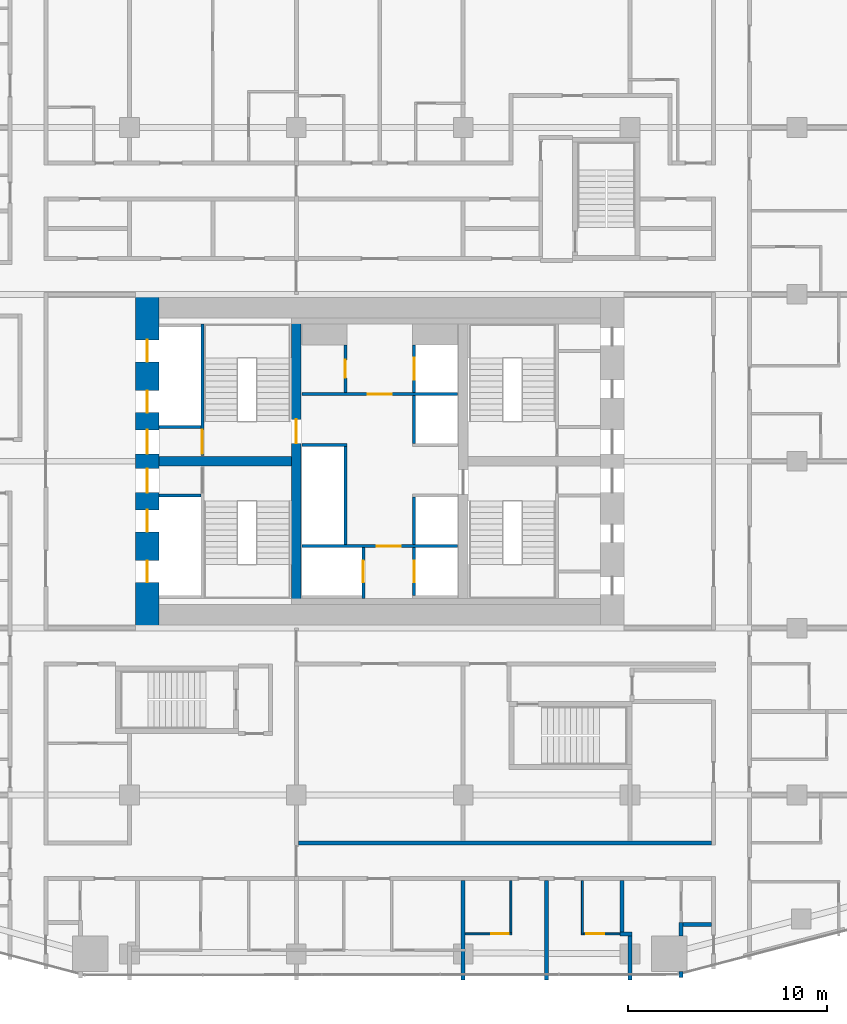
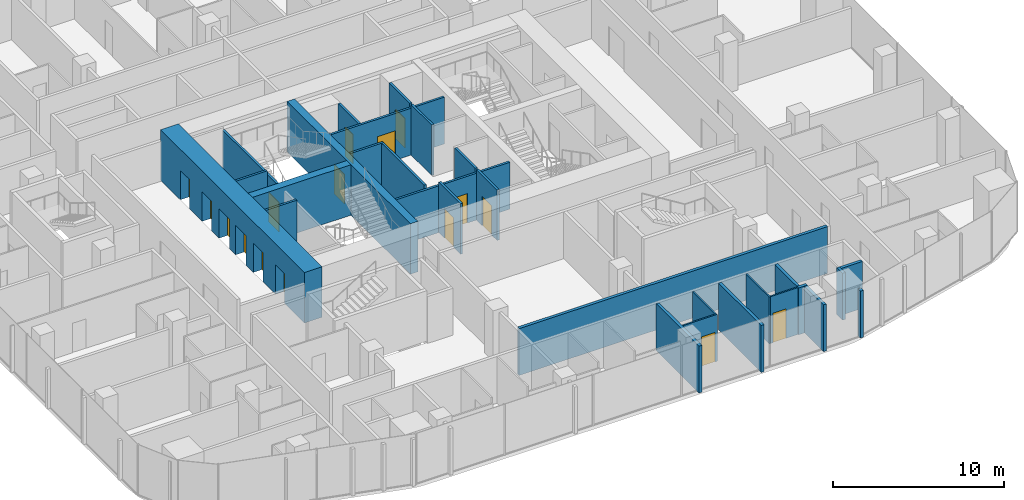
# One storey, part 18 of 26: 29 walls, 16 doors, 16 openings.
"""IFC4 building model written with IfcOpenShell, lengths in metres."""

import ifcopenshell
import ifcopenshell.guid

model = None  # the IFC model being written
_history = None  # IfcOwnerHistory: only IFC2X3 demands one
_inside = {}  # id of a spatial element -> (the spatial element, [elements in it])
_under = {}  # id of a project, library or spatial element -> (it, [spatial elements below it])
_declared = {}  # id of a project -> (the project, [libraries it declares])
_typed = {}  # id of a type object -> (the type object, [elements of that type])
_made_of = {}  # id of a material, layer set ... -> (it, [elements and type objects made of it])


def new_model(schema):
    """Start an empty IFC model of exactly this schema.

    Asked for "IFC4X3", IfcOpenShell would pick the latest addendum, in which some entities
    have other attributes; the version numbers below select the first issue.
    IFC2X3 requires an IfcOwnerHistory on every rooted entity: one is made here for all.
    """
    global model, _history
    if schema == "IFC4X3":
        model = ifcopenshell.file(schema_version=(4, 3, 0, 0))
    else:
        model = ifcopenshell.file(schema=schema)
    _inside.clear()
    _under.clear()
    _declared.clear()
    _typed.clear()
    _made_of.clear()
    _history = None
    if model.schema == "IFC2X3":
        org = make("IfcOrganization", Name="unknown")
        user = make(
            "IfcPersonAndOrganization",
            ThePerson=make("IfcPerson", FamilyName="unknown"),
            TheOrganization=org,
        )
        app = make(
            "IfcApplication",
            ApplicationDeveloper=org,
            Version="unknown",
            ApplicationFullName="unknown",
            ApplicationIdentifier="unknown",
        )
        _history = make(
            "IfcOwnerHistory",
            OwningUser=user,
            OwningApplication=app,
            ChangeAction="ADDED",
            CreationDate=0,
        )
    return model


def make(cls, **values):
    """One entity of the class cls with the attributes given. An attribute that is None is left unset."""
    return model.create_entity(
        cls, **{name: value for name, value in values.items() if value is not None}
    )


def rooted(cls, **values):
    """An entity with a GlobalId (a new one), such as an element, a storey or a relation."""
    return make(cls, GlobalId=ifcopenshell.guid.new(), OwnerHistory=_history, **values)


def si_unit(unit_type, name, prefix=None):
    """IfcSIUnit, for example si_unit("LENGTHUNIT", "METRE", prefix="MILLI")."""
    return make("IfcSIUnit", UnitType=unit_type, Prefix=prefix, Name=name)


def assignment(units):
    """IfcUnitAssignment: the units of a project."""
    return None if units is None else make("IfcUnitAssignment", Units=units)


def point(xyz):
    """IfcCartesianPoint."""
    return None if xyz is None else make("IfcCartesianPoint", Coordinates=xyz)


def direction(xyz):
    """IfcDirection."""
    return None if xyz is None else make("IfcDirection", DirectionRatios=xyz)


def frame(location, z_axis=None, x_axis=None):
    """IfcAxis2Placement3D, a coordinate frame: its origin and axes. An axis left out is left unset."""
    return make(
        "IfcAxis2Placement3D",
        Location=point(location),
        Axis=direction(z_axis),
        RefDirection=direction(x_axis),
    )


def frame_2d(location, x_axis=None):
    """IfcAxis2Placement2D, a coordinate frame in the plane: its origin and x axis."""
    return make(
        "IfcAxis2Placement2D", Location=point(location), RefDirection=direction(x_axis)
    )


def origin():
    """The frame at (0, 0, 0) with its axes left unset."""
    return frame((0.0, 0.0, 0.0))


def place(relative_to, where):
    """IfcLocalPlacement: puts the frame where relative to a parent placement (None: the world)."""
    return make(
        "IfcLocalPlacement", PlacementRelTo=relative_to, RelativePlacement=where
    )


def context(
    kind, dimensions, precision=None, world=None, true_north=None, identifier=None
):
    """IfcGeometricRepresentationContext, for example the 3D "Model" context."""
    return make(
        "IfcGeometricRepresentationContext",
        ContextIdentifier=identifier,
        ContextType=kind,
        CoordinateSpaceDimension=dimensions,
        Precision=precision,
        WorldCoordinateSystem=world,
        TrueNorth=true_north,
    )


def subcontext(parent, identifier, kind, view, scale=None):
    """IfcGeometricRepresentationSubContext, for example "Body" below "Model"."""
    return make(
        "IfcGeometricRepresentationSubContext",
        ContextIdentifier=identifier,
        ContextType=kind,
        ParentContext=parent,
        TargetScale=scale,
        TargetView=view,
    )


def project(units=None, contexts=None):
    """IfcProject with its units and contexts."""
    return rooted(
        "IfcProject",
        Name="project",
        RepresentationContexts=contexts,
        UnitsInContext=assignment(units),
    )


def spatial(cls, under=None, at=None, **own):
    """A site, building, storey or space (cls), placed at a placement, below another one or the project."""
    s = rooted(cls, ObjectPlacement=at, **own)
    if under is not None:
        _under.setdefault(under.id(), (under, []))[1].append(s)
    return s


def profile(cls, at=None, kind="AREA", **sizes):
    """A parametric profile (cls). Its sizes go by their IFC names, for example OverallWidth=200.0."""
    return make(cls, ProfileType=kind, Position=at, **sizes)


def rectangle(**sizes):
    """IfcRectangleProfileDef."""
    return profile("IfcRectangleProfileDef", **sizes)


def extrude(swept, where, along, depth):
    """IfcExtrudedAreaSolid: the profile swept, set in the frame where, extruded along a direction by depth."""
    return make(
        "IfcExtrudedAreaSolid",
        SweptArea=swept,
        Position=where,
        ExtrudedDirection=direction(along),
        Depth=depth,
    )


def shape(context_of_items, identifier, shape_type, items):
    """IfcShapeRepresentation: the items that make up one representation, for example the "Body"."""
    return make(
        "IfcShapeRepresentation",
        ContextOfItems=context_of_items,
        RepresentationIdentifier=identifier,
        RepresentationType=shape_type,
        Items=items,
    )


def material(Name=None, Category=None):
    """IfcMaterial."""
    return make("IfcMaterial", Name=Name, Category=Category)


def layer(
    of_material, thickness, ventilated=None, Name=None, Category=None, Priority=None
):
    """IfcMaterialLayer: one layer of a wall or slab, of a material (None: an air gap)."""
    return make(
        "IfcMaterialLayer",
        Material=of_material,
        LayerThickness=thickness,
        IsVentilated=ventilated,
        Name=Name,
        Category=Category,
        Priority=Priority,
    )


def layer_set(layers, Name=None):
    """IfcMaterialLayerSet."""
    return make("IfcMaterialLayerSet", MaterialLayers=layers, LayerSetName=Name)


def made_of(thing, what):
    """Note that an element or type object is made of a material, layer set ...; save() writes the relation."""
    if what is not None:
        _made_of.setdefault(what.id(), (what, []))[1].append(thing)
    return thing


def type_object(cls, material=None, **own):
    """A type object (cls), such as IfcWallType, which elements share."""
    return made_of(rooted(cls, **own), material)


def element(
    cls,
    number,
    at=None,
    inside=None,
    cuts=None,
    type_object=None,
    material=None,
    context=None,
    identifier="Body",
    shape_type=None,
    held_by="IfcProductDefinitionShape",
    body=None,
    shapes=None,
    **own,
):
    """One element of the class cls, such as IfcWall. Its Tag is "e" and its number.

    at: its placement. inside: the storey or other place that contains it. cuts: it is an
    opening in that element (IfcRelVoidsElement). A single representation is given by context,
    identifier, shape_type and body (its items); several are given by shapes. held_by: the class
    of the entity that holds the representations. save() writes the other relations.
    """
    e = rooted(cls, Tag="e%d" % number, ObjectPlacement=at, **own)
    if body is not None:
        shapes = [shape(context, identifier, shape_type, body)]
    if shapes is not None:
        e.Representation = make(held_by, Representations=shapes)
    if inside is not None:
        _inside.setdefault(inside.id(), (inside, []))[1].append(e)
    if cuts is not None:
        rooted(
            "IfcRelVoidsElement", RelatingBuildingElement=cuts, RelatedOpeningElement=e
        )
    if type_object is not None:
        _typed.setdefault(type_object.id(), (type_object, []))[1].append(e)
    return made_of(e, material)


def fill(opening, filler):
    """IfcRelFillsElement: the door or window that sits in an opening."""
    return rooted(
        "IfcRelFillsElement",
        RelatingOpeningElement=opening,
        RelatedBuildingElement=filler,
    )


def aggregate(whole, parts):
    """IfcRelAggregates: a whole, such as a stair, and the parts it consists of."""
    return rooted("IfcRelAggregates", RelatingObject=whole, RelatedObjects=parts)


def save(model, path):
    """Write the relations noted so far, then the file.

    IfcRelAggregates (storeys below a building ...), IfcRelContainedInSpatialStructure (elements
    in a storey), IfcRelDefinesByType, IfcRelAssociatesMaterial and IfcRelDeclares: one each for
    every whole, place, type object, material and project.
    """
    for whole, parts in _under.values():
        aggregate(whole, parts)
    for where, things in _inside.values():
        rooted(
            "IfcRelContainedInSpatialStructure",
            RelatedElements=things,
            RelatingStructure=where,
        )
    for kind, things in _typed.values():
        rooted("IfcRelDefinesByType", RelatedObjects=things, RelatingType=kind)
    for what, things in _made_of.values():
        rooted("IfcRelAssociatesMaterial", RelatedObjects=things, RelatingMaterial=what)
    for by, libraries in _declared.values():
        rooted("IfcRelDeclares", RelatingContext=by, RelatedDefinitions=libraries)
    model.write(path)


model = new_model("IFC4")

# Units and contexts
model_context = context("Model", 3, precision=1e-05, world=origin(), true_north=direction((0.0, 1.0)))
body_context = subcontext(model_context, "Body", "Model", "MODEL_VIEW")
ifc_project = project(units=[si_unit("LENGTHUNIT", "METRE"), si_unit("AREAUNIT", "SQUARE_METRE"), si_unit("VOLUMEUNIT", "CUBIC_METRE"), si_unit("PLANEANGLEUNIT", "RADIAN"), si_unit("MASSUNIT", "GRAM", prefix="KILO")], contexts=[model_context])

# Site, building, storey
site_placement = place(None, origin())
site = spatial("IfcSite", under=ifc_project, at=site_placement, CompositionType="ELEMENT")
building_placement = place(site_placement, origin())
building = spatial("IfcBuilding", under=site, at=building_placement, Name="Marenta Gate Hotel Tower", CompositionType="ELEMENT")
storey_placement = place(building_placement, frame((0.0, 0.0, 72.5)))
storey = spatial("IfcBuildingStorey", under=building, at=storey_placement, Name="L16", CompositionType="ELEMENT", Elevation=72.5)

# Wall, opening, door
ifc_material_1 = material(Name="Concrete blockwork", Category="masonry")
ifc_layer_1 = layer(ifc_material_1, 0.14990234375)
ifc_layer_set_1 = layer_set([ifc_layer_1], Name="Concrete blockwork")
wall_type_1 = type_object("IfcWallType", Name="Core lobby partition 150 REI 180", PredefinedType="PARTITIONING", material=ifc_layer_set_1)
wall_1_placement = place(storey_placement, frame((-3.89990234375, 4.125, 0.0), z_axis=(0.0, 0.0, 1.0), x_axis=(1.0, 0.0, 0.0)))
wall_1 = element("IfcWall", 1, at=wall_1_placement, inside=storey, type_object=wall_type_1, Name="L16-CP-CW-S", PredefinedType="PARTITIONING", context=body_context, shape_type="SweptSolid", body=[
    extrude(rectangle(XDim=7.7998046875, YDim=0.14990234375, at=frame_2d((3.89990234375, 0.0))), origin(), (0.0, 0.0, 1.0), 3.340087890625),
])
opening_1_placement = place(wall_1_placement, frame((3.75, 0.0, 0.0)))
opening_1 = element("IfcOpeningElement", 2, at=opening_1_placement, cuts=wall_1, Name="Opening FD-FFS", PredefinedType="OPENING", context=body_context, shape_type="SweptSolid", body=[
    extrude(rectangle(XDim=1.199951171875, YDim=2.10009765625, at=frame_2d((0.60009765625, 1.050048828125))), frame((0.0, 0.074951171875, 0.0), z_axis=(0.0, -1.0, 0.0), x_axis=(1.0, 0.0, 0.0)), (0.0, 0.0, 1.0), 0.14990234375),
])
ifc_material_2 = material(Name="Steel", Category="steel")
door_type_1 = type_object("IfcDoorType", Name="Core lobby door 1200x2100 FD60", OperationType="SINGLE_SWING_LEFT", PredefinedType="DOOR", material=ifc_material_2)
door_1_placement = place(opening_1_placement, origin())
door_1 = element("IfcDoor", 3, at=door_1_placement, inside=storey, type_object=door_type_1, Name="FD-FFS", OperationType="SINGLE_SWING_LEFT", OverallHeight=2.10009765625, OverallWidth=1.199951171875, PredefinedType="DOOR", context=body_context, shape_type="SweptSolid", body=[
    extrude(rectangle(XDim=1.199951171875, YDim=2.10009765625, at=frame_2d((0.60009765625, 1.050048828125))), frame((0.0, 0.02490234375, 0.0), z_axis=(0.0, -1.0, 0.0), x_axis=(1.0, 0.0, 0.0)), (0.0, 0.0, 1.0), 0.050048828125),
])
fill(opening_1, door_1)

wall_2_placement = place(storey_placement, frame((-3.89990234375, 11.77490234375, 0.0), z_axis=(0.0, 0.0, 1.0), x_axis=(1.0, 0.0, 0.0)))
wall_2 = element("IfcWall", 4, at=wall_2_placement, inside=storey, type_object=wall_type_1, Name="L16-CP-CW-N", PredefinedType="PARTITIONING", context=body_context, shape_type="SweptSolid", body=[
    extrude(rectangle(XDim=7.7998046875, YDim=0.14990234375, at=frame_2d((3.89990234375, 0.0))), origin(), (0.0, 0.0, 1.0), 3.340087890625),
])
opening_2_placement = place(wall_2_placement, frame((3.300048828125, 0.0, 0.0)))
opening_2 = element("IfcOpeningElement", 5, at=opening_2_placement, cuts=wall_2, Name="Opening FD-FFN", PredefinedType="OPENING", context=body_context, shape_type="SweptSolid", body=[
    extrude(rectangle(XDim=1.199951171875, YDim=2.10009765625, at=frame_2d((0.60009765625, 1.050048828125))), frame((0.0, 0.074951171875, 0.0), z_axis=(0.0, -1.0, 0.0), x_axis=(1.0, 0.0, 0.0)), (0.0, 0.0, 1.0), 0.14990234375),
])
door_2_placement = place(opening_2_placement, origin())
door_2 = element("IfcDoor", 6, at=door_2_placement, inside=storey, type_object=door_type_1, Name="FD-FFN", OperationType="SINGLE_SWING_LEFT", OverallHeight=2.10009765625, OverallWidth=1.199951171875, PredefinedType="DOOR", context=body_context, shape_type="SweptSolid", body=[
    extrude(rectangle(XDim=1.199951171875, YDim=2.10009765625, at=frame_2d((0.60009765625, 1.050048828125))), frame((0.0, 0.02490234375, 0.0), z_axis=(0.0, -1.0, 0.0), x_axis=(1.0, 0.0, 0.0)), (0.0, 0.0, 1.0), 0.050048828125),
])
fill(opening_2, door_2)

ifc_material_3 = material(Name="Concrete blockwork", Category="masonry")
ifc_layer_2 = layer(ifc_material_3, 0.14990234375)
ifc_layer_set_2 = layer_set([ifc_layer_2], Name="Concrete blockwork")
wall_type_2 = type_object("IfcWallType", Name="Core room partition 150 REI 180", PredefinedType="PARTITIONING", material=ifc_layer_set_2)
wall_3_placement = place(storey_placement, frame((-1.72509765625, 11.85009765625, 0.0), z_axis=(0.0, 0.0, 1.0), x_axis=(0.0, 1.0, 0.0)))
wall_3 = element("IfcWall", 7, at=wall_3_placement, inside=storey, type_object=wall_type_2, Name="L16-CP-CW-W-riser-front", PredefinedType="PARTITIONING", context=body_context, shape_type="SweptSolid", body=[
    extrude(rectangle(XDim=2.39990234375, YDim=0.14990234375, at=frame_2d((1.199951171875, 0.0))), origin(), (0.0, 0.0, 1.0), 3.340087890625),
])
opening_3_placement = place(wall_3_placement, frame((0.75, 0.0, 0.0)))
opening_3 = element("IfcOpeningElement", 8, at=opening_3_placement, cuts=wall_3, Name="Opening RD-CRISER", PredefinedType="OPENING", context=body_context, shape_type="SweptSolid", body=[
    extrude(rectangle(XDim=0.89990234375, YDim=2.10009765625, at=frame_2d((0.449951171875, 1.050048828125))), frame((0.0, 0.074951171875, 0.0), z_axis=(0.0, -1.0, 0.0), x_axis=(1.0, 0.0, 0.0)), (0.0, 0.0, 1.0), 0.14990234375),
])
ifc_material_4 = material(Name="Steel", Category="steel")
door_type_2 = type_object("IfcDoorType", Name="Core riser door 900x2100 FD60", OperationType="SINGLE_SWING_LEFT", PredefinedType="DOOR", material=ifc_material_4)
door_3_placement = place(opening_3_placement, origin())
door_3 = element("IfcDoor", 9, at=door_3_placement, inside=storey, type_object=door_type_2, Name="RD-CRISER", OperationType="SINGLE_SWING_LEFT", OverallHeight=2.10009765625, OverallWidth=0.89990234375, PredefinedType="DOOR", context=body_context, shape_type="SweptSolid", body=[
    extrude(rectangle(XDim=0.89990234375, YDim=2.10009765625, at=frame_2d((0.449951171875, 1.050048828125))), frame((0.0, 0.02490234375, 0.0), z_axis=(0.0, -1.0, 0.0), x_axis=(1.0, 0.0, 0.0)), (0.0, 0.0, 1.0), 0.050048828125),
])
fill(opening_3, door_3)

# Walls
ifc_material_5 = material(Name="Concrete C40", Category="concrete")
ifc_layer_3 = layer(ifc_material_5, 0.14990234375)
ifc_layer_set_3 = layer_set([ifc_layer_3], Name="Concrete C40")
wall_type_3 = type_object("IfcWallType", Name="Core shaft wall 150 REI 180", PredefinedType="SHEAR", material=ifc_layer_set_3)
for number, where, z_axis, x_axis, name in (
    (10, (-11.10009765625, 6.675048828125, 0.0), (0.0, 0.0, 1.0), (1.0, 0.0, 0.0), "L16-SHF-SW-WS-2"),
    (11, (-11.10009765625, 10.125, 0.0), (0.0, 0.0, 1.0), (1.0, 0.0, 0.0), "L16-SHF-SW-WN-2"),
):
    element("IfcWall", number, at=place(storey_placement, frame(where, z_axis=z_axis, x_axis=x_axis)), inside=storey, type_object=wall_type_3, Name=name, PredefinedType="SHEAR", context=body_context, shape_type="SweptSolid", body=[
        extrude(rectangle(XDim=2.10009765625, YDim=0.14990234375, at=frame_2d((1.050048828125, 0.0))), origin(), (0.0, 0.0, 1.0), 3.60009765625),
    ])

# Wall, opening, door
wall_4_placement = place(storey_placement, frame((-0.824951171875, 1.5, 0.0), z_axis=(0.0, 0.0, 1.0), x_axis=(0.0, 1.0, 0.0)))
wall_4 = element("IfcWall", 12, at=wall_4_placement, inside=storey, type_object=wall_type_3, Name="L16-SHF-CW-W-ff", PredefinedType="SHEAR", context=body_context, shape_type="SweptSolid", body=[
    extrude(rectangle(XDim=2.550048828125, YDim=0.14990234375, at=frame_2d((1.27490234375, 0.0))), origin(), (0.0, 0.0, 1.0), 3.60009765625),
])
opening_4_placement = place(wall_4_placement, frame((0.800048828125, 0.0, 0.0)))
opening_4 = element("IfcOpeningElement", 13, at=opening_4_placement, cuts=wall_4, Name="Opening LD-FF1", PredefinedType="OPENING", context=body_context, shape_type="SweptSolid", body=[
    extrude(rectangle(XDim=1.10009765625, YDim=2.10009765625, at=frame_2d((0.550048828125, 1.050048828125))), frame((0.0, 0.074951171875, 0.0), z_axis=(0.0, -1.0, 0.0), x_axis=(1.0, 0.0, 0.0)), (0.0, 0.0, 1.0), 0.14990234375),
])
ifc_material_6 = material(Name="Steel", Category="steel")
door_type_3 = type_object("IfcDoorType", Name="Core lift landing door 1100x2100 E 60", OperationType="SLIDING_TO_LEFT", PredefinedType="DOOR", material=ifc_material_6)
door_4_placement = place(opening_4_placement, origin())
door_4 = element("IfcDoor", 14, at=door_4_placement, inside=storey, type_object=door_type_3, Name="LD-FF1", OperationType="SLIDING_TO_LEFT", OverallHeight=2.10009765625, OverallWidth=1.10009765625, PredefinedType="DOOR", context=body_context, shape_type="SweptSolid", body=[
    extrude(rectangle(XDim=1.10009765625, YDim=2.10009765625, at=frame_2d((0.550048828125, 1.050048828125))), frame((0.0, 0.02490234375, 0.0), z_axis=(0.0, -1.0, 0.0), x_axis=(1.0, 0.0, 0.0)), (0.0, 0.0, 1.0), 0.050048828125),
])
fill(opening_4, door_4)

# Walls
wall_5_placement = place(storey_placement, frame((-1.72509765625, 4.199951171875, 0.0), z_axis=(0.0, 0.0, 1.0), x_axis=(0.0, 1.0, 0.0)))
element("IfcWall", 15, at=wall_5_placement, inside=storey, type_object=wall_type_3, Name="L16-SHF-CW-W-front", PredefinedType="SHEAR", context=body_context, shape_type="SweptSolid", body=[
    extrude(rectangle(XDim=4.949951171875, YDim=0.14990234375, at=frame_2d((2.47509765625, 0.0))), origin(), (0.0, 0.0, 1.0), 3.60009765625),
])
wall_6_placement = place(storey_placement, frame((-3.89990234375, 9.22509765625, 0.0), z_axis=(0.0, 0.0, 1.0), x_axis=(1.0, 0.0, 0.0)))
element("IfcWall", 16, at=wall_6_placement, inside=storey, type_object=wall_type_3, Name="L16-SHF-CW-W-sep", PredefinedType="SHEAR", context=body_context, shape_type="SweptSolid", body=[
    extrude(rectangle(XDim=2.25, YDim=0.14990234375, at=frame_2d((1.125, 0.0))), origin(), (0.0, 0.0, 1.0), 3.60009765625),
])

# Wall, opening, door
wall_7_placement = place(storey_placement, frame((1.72509765625, 1.64990234375, 0.0), z_axis=(0.0, 0.0, 1.0), x_axis=(0.0, 1.0, 0.0)))
wall_7 = element("IfcWall", 17, at=wall_7_placement, inside=storey, type_object=wall_type_3, Name="L16-SHF-CE-S-ls", PredefinedType="SHEAR", context=body_context, shape_type="SweptSolid", body=[
    extrude(rectangle(XDim=2.400146484375, YDim=0.14990234375, at=frame_2d((1.2001953125, 0.0))), origin(), (0.0, 0.0, 1.0), 3.60009765625),
])
opening_5_placement = place(wall_7_placement, frame((0.64990234375, 0.0, 0.0)))
opening_5 = element("IfcOpeningElement", 18, at=opening_5_placement, cuts=wall_7, Name="Opening LD-SV1", PredefinedType="OPENING", context=body_context, shape_type="SweptSolid", body=[
    extrude(rectangle(XDim=1.10009765625, YDim=2.10009765625, at=frame_2d((0.550048828125, 1.050048828125))), frame((0.0, 0.074951171875, 0.0), z_axis=(0.0, -1.0, 0.0), x_axis=(1.0, 0.0, 0.0)), (0.0, 0.0, 1.0), 0.14990234375),
])
door_5_placement = place(opening_5_placement, origin())
door_5 = element("IfcDoor", 19, at=door_5_placement, inside=storey, type_object=door_type_3, Name="LD-SV1", OperationType="SLIDING_TO_LEFT", OverallHeight=2.10009765625, OverallWidth=1.10009765625, PredefinedType="DOOR", context=body_context, shape_type="SweptSolid", body=[
    extrude(rectangle(XDim=1.10009765625, YDim=2.10009765625, at=frame_2d((0.550048828125, 1.050048828125))), frame((0.0, 0.02490234375, 0.0), z_axis=(0.0, -1.0, 0.0), x_axis=(1.0, 0.0, 0.0)), (0.0, 0.0, 1.0), 0.050048828125),
])
fill(opening_5, door_5)

wall_8_placement = place(storey_placement, frame((1.72509765625, 11.85009765625, 0.0), z_axis=(0.0, 0.0, 1.0), x_axis=(0.0, 1.0, 0.0)))
wall_8 = element("IfcWall", 20, at=wall_8_placement, inside=storey, type_object=wall_type_3, Name="L16-SHF-CE-N-front2", PredefinedType="SHEAR", context=body_context, shape_type="SweptSolid", body=[
    extrude(rectangle(XDim=2.39990234375, YDim=0.14990234375, at=frame_2d((1.199951171875, 0.0))), origin(), (0.0, 0.0, 1.0), 3.60009765625),
])
opening_6_placement = place(wall_8_placement, frame((0.64990234375, 0.0, 0.0)))
opening_6 = element("IfcOpeningElement", 21, at=opening_6_placement, cuts=wall_8, Name="Opening LD-FF2", PredefinedType="OPENING", context=body_context, shape_type="SweptSolid", body=[
    extrude(rectangle(XDim=1.10009765625, YDim=2.10009765625, at=frame_2d((0.550048828125, 1.050048828125))), frame((0.0, 0.074951171875, 0.0), z_axis=(0.0, -1.0, 0.0), x_axis=(1.0, 0.0, 0.0)), (0.0, 0.0, 1.0), 0.14990234375),
])
door_6_placement = place(opening_6_placement, origin())
door_6 = element("IfcDoor", 22, at=door_6_placement, inside=storey, type_object=door_type_3, Name="LD-FF2", OperationType="SLIDING_TO_LEFT", OverallHeight=2.10009765625, OverallWidth=1.10009765625, PredefinedType="DOOR", context=body_context, shape_type="SweptSolid", body=[
    extrude(rectangle(XDim=1.10009765625, YDim=2.10009765625, at=frame_2d((0.550048828125, 1.050048828125))), frame((0.0, 0.02490234375, 0.0), z_axis=(0.0, -1.0, 0.0), x_axis=(1.0, 0.0, 0.0)), (0.0, 0.0, 1.0), 0.050048828125),
])
fill(opening_6, door_6)

# Walls
wall_9_placement = place(storey_placement, frame((1.72509765625, 4.199951171875, 0.0), z_axis=(0.0, 0.0, 1.0), x_axis=(0.0, 1.0, 0.0)))
element("IfcWall", 23, at=wall_9_placement, inside=storey, type_object=wall_type_3, Name="L16-SHF-CE-front-1", PredefinedType="SHEAR", context=body_context, shape_type="SweptSolid", body=[
    extrude(rectangle(XDim=2.400146484375, YDim=0.14990234375, at=frame_2d((1.2001953125, 0.0))), origin(), (0.0, 0.0, 1.0), 3.60009765625),
])
wall_10_placement = place(storey_placement, frame((1.72509765625, 9.300048828125, 0.0), z_axis=(0.0, 0.0, 1.0), x_axis=(0.0, 1.0, 0.0)))
element("IfcWall", 24, at=wall_10_placement, inside=storey, type_object=wall_type_3, Name="L16-SHF-CE-front-2", PredefinedType="SHEAR", context=body_context, shape_type="SweptSolid", body=[
    extrude(rectangle(XDim=2.39990234375, YDim=0.14990234375, at=frame_2d((1.199951171875, 0.0))), origin(), (0.0, 0.0, 1.0), 3.60009765625),
])

# Wall, opening, door
ifc_material_7 = material(Name="Concrete C40", Category="concrete")
ifc_layer_4 = layer(ifc_material_7, 0.14990234375)
ifc_layer_set_4 = layer_set([ifc_layer_4], Name="Concrete C40")
wall_type_4 = type_object("IfcWallType", Name="Core stair enclosure wall 150 REI 180", PredefinedType="SHEAR", material=ifc_layer_set_4)
wall_11_placement = place(storey_placement, frame((-8.925048828125, 8.699951171875, 0.0), z_axis=(0.0, 0.0, 1.0), x_axis=(0.0, 1.0, 0.0)))
wall_11 = element("IfcWall", 25, at=wall_11_placement, inside=storey, type_object=wall_type_4, Name="L16-SHF-SW-WN-3", PredefinedType="SHEAR", context=body_context, shape_type="SweptSolid", body=[
    extrude(rectangle(XDim=6.60009765625, YDim=0.14990234375, at=frame_2d((3.300048828125, 0.0))), origin(), (0.0, 0.0, 1.0), 3.340087890625),
])
opening_7_placement = place(wall_11_placement, frame((0.074951171875, 0.0, 0.0)))
opening_7 = element("IfcOpeningElement", 26, at=opening_7_placement, cuts=wall_11, Name="Opening SD-WN", PredefinedType="OPENING", context=body_context, shape_type="SweptSolid", body=[
    extrude(rectangle(XDim=1.199951171875, YDim=2.10009765625, at=frame_2d((0.60009765625, 1.050048828125))), frame((0.0, 0.074951171875, 0.0), z_axis=(0.0, -1.0, 0.0), x_axis=(1.0, 0.0, 0.0)), (0.0, 0.0, 1.0), 0.14990234375),
])
ifc_material_8 = material(Name="Steel", Category="steel")
door_type_4 = type_object("IfcDoorType", Name="Core stair door 1200x2100 FD60", OperationType="SINGLE_SWING_LEFT", PredefinedType="DOOR", material=ifc_material_8)
door_7_placement = place(opening_7_placement, origin())
door_7 = element("IfcDoor", 27, at=door_7_placement, inside=storey, type_object=door_type_4, Name="SD-WN", OperationType="SINGLE_SWING_LEFT", OverallHeight=2.10009765625, OverallWidth=1.199951171875, PredefinedType="DOOR", context=body_context, shape_type="SweptSolid", body=[
    extrude(rectangle(XDim=1.199951171875, YDim=2.10009765625, at=frame_2d((0.60009765625, 1.050048828125))), frame((0.0, 0.02490234375, 0.0), z_axis=(0.0, -1.0, 0.0), x_axis=(1.0, 0.0, 0.0)), (0.0, 0.0, 1.0), 0.050048828125),
])
fill(opening_7, door_7)

# Wall, openings, doors
ifc_material_9 = material(Name="Concrete C80", Category="concrete")
ifc_layer_5 = layer(ifc_material_9, 1.199951171875)
ifc_layer_set_5 = layer_set([ifc_layer_5], Name="Concrete C80")
wall_type_5 = type_object("IfcWallType", Name="Core wall 1200 C80", PredefinedType="SHEAR", material=ifc_layer_set_5)
wall_12_placement = place(storey_placement, frame((-11.699951171875, 0.0, 0.0), z_axis=(0.0, 0.0, 1.0), x_axis=(0.0, 1.0, 0.0)))
wall_12 = element("IfcWall", 28, at=wall_12_placement, inside=storey, type_object=wall_type_5, Name="L16-CORE-W", PredefinedType="SHEAR", context=body_context, shape_type="SweptSolid", body=[
    extrude(rectangle(XDim=16.800048828125, YDim=1.199951171875, at=frame_2d((8.39990234375, 0.0))), origin(), (0.0, 0.0, 1.0), 3.60009765625),
])
opening_8_placement = place(wall_12_placement, frame((2.300048828125, 0.0, 0.0)))
opening_8 = element("IfcOpeningElement", 29, at=opening_8_placement, cuts=wall_12, Name="Opening LD-LR1", PredefinedType="OPENING", context=body_context, shape_type="SweptSolid", body=[
    extrude(rectangle(XDim=1.10009765625, YDim=2.10009765625, at=frame_2d((0.550048828125, 1.050048828125))), frame((0.0, 0.60009765625, 0.0), z_axis=(0.0, -1.0, 0.0), x_axis=(1.0, 0.0, 0.0)), (0.0, 0.0, 1.0), 1.199951171875),
])
opening_9_placement = place(wall_12_placement, frame((4.85009765625, 0.0, 0.0)))
opening_9 = element("IfcOpeningElement", 30, at=opening_9_placement, cuts=wall_12, Name="Opening LD-LR2", PredefinedType="OPENING", context=body_context, shape_type="SweptSolid", body=[
    extrude(rectangle(XDim=1.10009765625, YDim=2.10009765625, at=frame_2d((0.550048828125, 1.050048828125))), frame((0.0, 0.60009765625, 0.0), z_axis=(0.0, -1.0, 0.0), x_axis=(1.0, 0.0, 0.0)), (0.0, 0.0, 1.0), 1.199951171875),
])
opening_10_placement = place(wall_12_placement, frame((6.824951171875, 0.0, 0.0)))
opening_10 = element("IfcOpeningElement", 31, at=opening_10_placement, cuts=wall_12, Name="Opening PD-WS", PredefinedType="OPENING", context=body_context, shape_type="SweptSolid", body=[
    extrude(rectangle(XDim=1.199951171875, YDim=2.10009765625, at=frame_2d((0.60009765625, 1.050048828125))), frame((0.0, 0.60009765625, 0.0), z_axis=(0.0, -1.0, 0.0), x_axis=(1.0, 0.0, 0.0)), (0.0, 0.0, 1.0), 1.199951171875),
])
opening_11_placement = place(wall_12_placement, frame((13.39990234375, 0.0, 0.0)))
opening_11 = element("IfcOpeningElement", 32, at=opening_11_placement, cuts=wall_12, Name="Opening LD-LR4", PredefinedType="OPENING", context=body_context, shape_type="SweptSolid", body=[
    extrude(rectangle(XDim=1.10009765625, YDim=2.10009765625, at=frame_2d((0.550048828125, 1.050048828125))), frame((0.0, 0.60009765625, 0.0), z_axis=(0.0, -1.0, 0.0), x_axis=(1.0, 0.0, 0.0)), (0.0, 0.0, 1.0), 1.199951171875),
])
opening_12_placement = place(wall_12_placement, frame((10.85009765625, 0.0, 0.0)))
opening_12 = element("IfcOpeningElement", 33, at=opening_12_placement, cuts=wall_12, Name="Opening LD-LR3", PredefinedType="OPENING", context=body_context, shape_type="SweptSolid", body=[
    extrude(rectangle(XDim=1.10009765625, YDim=2.10009765625, at=frame_2d((0.550048828125, 1.050048828125))), frame((0.0, 0.60009765625, 0.0), z_axis=(0.0, -1.0, 0.0), x_axis=(1.0, 0.0, 0.0)), (0.0, 0.0, 1.0), 1.199951171875),
])
opening_13_placement = place(wall_12_placement, frame((8.77490234375, 0.0, 0.0)))
opening_13 = element("IfcOpeningElement", 34, at=opening_13_placement, cuts=wall_12, Name="Opening PD-WN", PredefinedType="OPENING", context=body_context, shape_type="SweptSolid", body=[
    extrude(rectangle(XDim=1.199951171875, YDim=2.10009765625, at=frame_2d((0.60009765625, 1.050048828125))), frame((0.0, 0.60009765625, 0.0), z_axis=(0.0, -1.0, 0.0), x_axis=(1.0, 0.0, 0.0)), (0.0, 0.0, 1.0), 1.199951171875),
])
door_8_placement = place(opening_8_placement, origin())
door_8 = element("IfcDoor", 35, at=door_8_placement, inside=storey, type_object=door_type_3, Name="LD-LR1", OperationType="SLIDING_TO_LEFT", OverallHeight=2.10009765625, OverallWidth=1.10009765625, PredefinedType="DOOR", context=body_context, shape_type="SweptSolid", body=[
    extrude(rectangle(XDim=1.10009765625, YDim=2.10009765625, at=frame_2d((0.550048828125, 1.050048828125))), frame((0.0, 0.02490234375, 0.0), z_axis=(0.0, -1.0, 0.0), x_axis=(1.0, 0.0, 0.0)), (0.0, 0.0, 1.0), 0.050048828125),
])
fill(opening_8, door_8)
door_9_placement = place(opening_9_placement, origin())
door_9 = element("IfcDoor", 36, at=door_9_placement, inside=storey, type_object=door_type_3, Name="LD-LR2", OperationType="SLIDING_TO_LEFT", OverallHeight=2.10009765625, OverallWidth=1.10009765625, PredefinedType="DOOR", context=body_context, shape_type="SweptSolid", body=[
    extrude(rectangle(XDim=1.10009765625, YDim=2.10009765625, at=frame_2d((0.550048828125, 1.050048828125))), frame((0.0, 0.02490234375, 0.0), z_axis=(0.0, -1.0, 0.0), x_axis=(1.0, 0.0, 0.0)), (0.0, 0.0, 1.0), 0.050048828125),
])
fill(opening_9, door_9)
door_10_placement = place(opening_11_placement, origin())
door_10 = element("IfcDoor", 37, at=door_10_placement, inside=storey, type_object=door_type_3, Name="LD-LR4", OperationType="SLIDING_TO_LEFT", OverallHeight=2.10009765625, OverallWidth=1.10009765625, PredefinedType="DOOR", context=body_context, shape_type="SweptSolid", body=[
    extrude(rectangle(XDim=1.10009765625, YDim=2.10009765625, at=frame_2d((0.550048828125, 1.050048828125))), frame((0.0, 0.02490234375, 0.0), z_axis=(0.0, -1.0, 0.0), x_axis=(1.0, 0.0, 0.0)), (0.0, 0.0, 1.0), 0.050048828125),
])
fill(opening_11, door_10)
door_11_placement = place(opening_12_placement, origin())
door_11 = element("IfcDoor", 38, at=door_11_placement, inside=storey, type_object=door_type_3, Name="LD-LR3", OperationType="SLIDING_TO_LEFT", OverallHeight=2.10009765625, OverallWidth=1.10009765625, PredefinedType="DOOR", context=body_context, shape_type="SweptSolid", body=[
    extrude(rectangle(XDim=1.10009765625, YDim=2.10009765625, at=frame_2d((0.550048828125, 1.050048828125))), frame((0.0, 0.02490234375, 0.0), z_axis=(0.0, -1.0, 0.0), x_axis=(1.0, 0.0, 0.0)), (0.0, 0.0, 1.0), 0.050048828125),
])
fill(opening_12, door_11)
door_12_placement = place(opening_10_placement, origin())
door_12 = element("IfcDoor", 39, at=door_12_placement, inside=storey, type_object=door_type_1, Name="PD-WS", OperationType="SINGLE_SWING_LEFT", OverallHeight=2.10009765625, OverallWidth=1.199951171875, PredefinedType="DOOR", context=body_context, shape_type="SweptSolid", body=[
    extrude(rectangle(XDim=1.199951171875, YDim=2.10009765625, at=frame_2d((0.60009765625, 1.050048828125))), frame((0.0, 0.02490234375, 0.0), z_axis=(0.0, -1.0, 0.0), x_axis=(1.0, 0.0, 0.0)), (0.0, 0.0, 1.0), 0.050048828125),
])
fill(opening_10, door_12)
door_13_placement = place(opening_13_placement, origin())
door_13 = element("IfcDoor", 40, at=door_13_placement, inside=storey, type_object=door_type_1, Name="PD-WN", OperationType="SINGLE_SWING_LEFT", OverallHeight=2.10009765625, OverallWidth=1.199951171875, PredefinedType="DOOR", context=body_context, shape_type="SweptSolid", body=[
    extrude(rectangle(XDim=1.199951171875, YDim=2.10009765625, at=frame_2d((0.60009765625, 1.050048828125))), frame((0.0, 0.02490234375, 0.0), z_axis=(0.0, -1.0, 0.0), x_axis=(1.0, 0.0, 0.0)), (0.0, 0.0, 1.0), 0.050048828125),
])
fill(opening_13, door_13)

# Wall, opening, door
ifc_material_10 = material(Name="Concrete C80", Category="concrete")
ifc_layer_6 = layer(ifc_material_10, 0.5)
ifc_layer_set_6 = layer_set([ifc_layer_6], Name="Concrete C80")
wall_type_6 = type_object("IfcWallType", Name="Core web 500 C80", PredefinedType="SHEAR", material=ifc_layer_set_6)
wall_13_placement = place(storey_placement, frame((-4.199951171875, 1.199951171875, 0.0), z_axis=(0.0, 0.0, 1.0), x_axis=(0.0, 1.0, 0.0)))
wall_13 = element("IfcWall", 41, at=wall_13_placement, inside=storey, type_object=wall_type_6, Name="L16-CORE-W1", PredefinedType="SHEAR", context=body_context, shape_type="SweptSolid", body=[
    extrude(rectangle(XDim=14.400146484375, YDim=0.5, at=frame_2d((7.2001953125, 0.0))), origin(), (0.0, 0.0, 1.0), 3.60009765625),
])
opening_14_placement = place(wall_13_placement, frame((8.10009765625, 0.0, 0.0)))
opening_14 = element("IfcOpeningElement", 42, at=opening_14_placement, cuts=wall_13, Name="Opening WD-W", PredefinedType="OPENING", context=body_context, shape_type="SweptSolid", body=[
    extrude(rectangle(XDim=1.199951171875, YDim=2.10009765625, at=frame_2d((0.60009765625, 1.050048828125))), frame((0.0, 0.25, 0.0), z_axis=(0.0, -1.0, 0.0), x_axis=(1.0, 0.0, 0.0)), (0.0, 0.0, 1.0), 0.5),
])
door_14_placement = place(opening_14_placement, origin())
door_14 = element("IfcDoor", 43, at=door_14_placement, inside=storey, type_object=door_type_4, Name="WD-W", OperationType="SINGLE_SWING_LEFT", OverallHeight=2.10009765625, OverallWidth=1.199951171875, PredefinedType="DOOR", context=body_context, shape_type="SweptSolid", body=[
    extrude(rectangle(XDim=1.199951171875, YDim=2.10009765625, at=frame_2d((0.60009765625, 1.050048828125))), frame((0.0, 0.02490234375, 0.0), z_axis=(0.0, -1.0, 0.0), x_axis=(1.0, 0.0, 0.0)), (0.0, 0.0, 1.0), 0.050048828125),
])
fill(opening_14, door_14)

# Walls
wall_14_placement = place(storey_placement, frame((-11.10009765625, 8.39990234375, 0.0), z_axis=(0.0, 0.0, 1.0), x_axis=(1.0, 0.0, 0.0)))
element("IfcWall", 44, at=wall_14_placement, inside=storey, type_object=wall_type_6, Name="L16-CORE-W3", PredefinedType="SHEAR", context=body_context, shape_type="SweptSolid", body=[
    extrude(rectangle(XDim=6.650146484375, YDim=0.5, at=frame_2d((3.3251953125, 0.0))), origin(), (0.0, 0.0, 1.0), 3.60009765625),
])
ifc_material_11 = material(Name="Gypsum board on steel stud", Category="steel")
ifc_layer_7 = layer(ifc_material_11, 0.199951171875)
ifc_layer_set_7 = layer_set([ifc_layer_7], Name="Gypsum board on steel stud")
wall_type_7 = type_object("IfcWallType", Name="Room corridor wall 200 EI 60", PredefinedType="PARTITIONING", material=ifc_layer_set_7)
wall_15_placement = place(storey_placement, frame((-4.10009765625, -10.800048828125, 0.0), z_axis=(0.0, 0.0, 1.0), x_axis=(1.0, 0.0, 0.0)))
element("IfcWall", 45, at=wall_15_placement, inside=storey, type_object=wall_type_7, Name="L16-PTN-W039", PredefinedType="PARTITIONING", context=body_context, shape_type="SweptSolid", body=[
    extrude(rectangle(XDim=20.800048828125, YDim=0.199951171875, at=frame_2d((10.39990234375, 0.0))), origin(), (0.0, 0.0, 1.0), 3.340087890625),
])

# Wall, opening, door
ifc_material_12 = material(Name="Gypsum board on steel stud", Category="steel")
ifc_layer_8 = layer(ifc_material_12, 0.10009765625)
ifc_layer_set_8 = layer_set([ifc_layer_8], Name="Gypsum board on steel stud")
wall_type_8 = type_object("IfcWallType", Name="Room partition 100", PredefinedType="PARTITIONING", material=ifc_layer_set_8)
wall_16_placement = place(storey_placement, frame((4.300048828125, -15.375, 0.0), z_axis=(0.0, 0.0, 1.0), x_axis=(1.0, 0.0, 0.0)))
wall_16 = element("IfcWall", 46, at=wall_16_placement, inside=storey, type_object=wall_type_8, Name="L16-PTN-W018", PredefinedType="PARTITIONING", context=body_context, shape_type="SweptSolid", body=[
    extrude(rectangle(XDim=2.349853515625, YDim=0.10009765625, at=frame_2d((1.1748046875, 0.0))), origin(), (0.0, 0.0, 1.0), 3.340087890625),
])
opening_15_placement = place(wall_16_placement, frame((1.300048828125, 0.0, 0.0)))
opening_15 = element("IfcOpeningElement", 47, at=opening_15_placement, cuts=wall_16, Name="Opening G06-39", PredefinedType="OPENING", context=body_context, shape_type="SweptSolid", body=[
    extrude(rectangle(XDim=0.89990234375, YDim=2.10009765625, at=frame_2d((0.449951171875, 1.050048828125))), frame((0.0, 0.050048828125, 0.0), z_axis=(0.0, -1.0, 0.0), x_axis=(1.0, 0.0, 0.0)), (0.0, 0.0, 1.0), 0.10009765625),
])
ifc_material_13 = material(Name="Timber door leaf", Category="wood")
door_type_5 = type_object("IfcDoorType", Name="Guest bathroom door 900x2100", OperationType="NOTDEFINED", PredefinedType="DOOR", material=ifc_material_13)
door_15_placement = place(opening_15_placement, origin())
door_15 = element("IfcDoor", 48, at=door_15_placement, inside=storey, type_object=door_type_5, Name="L16-PD-D039", OperationType="SINGLE_SWING_RIGHT", OverallHeight=2.10009765625, OverallWidth=0.89990234375, PredefinedType="DOOR", context=body_context, shape_type="SweptSolid", body=[
    extrude(rectangle(XDim=0.89990234375, YDim=2.10009765625, at=frame_2d((0.449951171875, 1.050048828125))), frame((0.0, 0.02490234375, 0.0), z_axis=(0.0, -1.0, 0.0), x_axis=(1.0, 0.0, 0.0)), (0.0, 0.0, 1.0), 0.050048828125),
])
fill(opening_15, door_15)

wall_17_placement = place(storey_placement, frame((10.25, -15.375, 0.0), z_axis=(0.0, 0.0, 1.0), x_axis=(1.0, 0.0, 0.0)))
wall_17 = element("IfcWall", 49, at=wall_17_placement, inside=storey, type_object=wall_type_8, Name="L16-PTN-W019", PredefinedType="PARTITIONING", context=body_context, shape_type="SweptSolid", body=[
    extrude(rectangle(XDim=2.050048828125, YDim=0.10009765625, at=frame_2d((1.02490234375, 0.0))), origin(), (0.0, 0.0, 1.0), 3.340087890625),
])
opening_16_placement = place(wall_17_placement, frame((0.14990234375, 0.0, 0.0)))
opening_16 = element("IfcOpeningElement", 50, at=opening_16_placement, cuts=wall_17, Name="Opening G06-41", PredefinedType="OPENING", context=body_context, shape_type="SweptSolid", body=[
    extrude(rectangle(XDim=0.89990234375, YDim=2.10009765625, at=frame_2d((0.449951171875, 1.050048828125))), frame((0.0, 0.050048828125, 0.0), z_axis=(0.0, -1.0, 0.0), x_axis=(1.0, 0.0, 0.0)), (0.0, 0.0, 1.0), 0.10009765625),
])
door_16_placement = place(opening_16_placement, origin())
door_16 = element("IfcDoor", 51, at=door_16_placement, inside=storey, type_object=door_type_5, Name="L16-PD-D041", OperationType="SINGLE_SWING_LEFT", OverallHeight=2.10009765625, OverallWidth=0.89990234375, PredefinedType="DOOR", context=body_context, shape_type="SweptSolid", body=[
    extrude(rectangle(XDim=0.89990234375, YDim=2.10009765625, at=frame_2d((0.449951171875, 1.050048828125))), frame((0.0, 0.02490234375, 0.0), z_axis=(0.0, -1.0, 0.0), x_axis=(1.0, 0.0, 0.0)), (0.0, 0.0, 1.0), 0.050048828125),
])
fill(opening_16, door_16)

# Walls
wall_18_placement = place(storey_placement, frame((10.199951171875, -15.425048828125, 0.0), z_axis=(0.0, 0.0, 1.0), x_axis=(0.0, 1.0, 0.0)))
element("IfcWall", 52, at=wall_18_placement, inside=storey, type_object=wall_type_8, Name="L16-PTN-W040", PredefinedType="PARTITIONING", context=body_context, shape_type="SweptSolid", body=[
    extrude(rectangle(XDim=2.72509765625, YDim=0.10009765625, at=frame_2d((1.362548828125, 0.0))), origin(), (0.0, 0.0, 1.0), 3.340087890625),
])
wall_19_placement = place(storey_placement, frame((6.60009765625, -15.324951171875, 0.0), z_axis=(0.0, 0.0, 1.0), x_axis=(0.0, 1.0, 0.0)))
element("IfcWall", 53, at=wall_19_placement, inside=storey, type_object=wall_type_8, Name="L16-PTN-W046", PredefinedType="PARTITIONING", context=body_context, shape_type="SweptSolid", body=[
    extrude(rectangle(XDim=2.625, YDim=0.10009765625, at=frame_2d((1.3125, 0.0))), origin(), (0.0, 0.0, 1.0), 3.340087890625),
])
ifc_material_14 = material(Name="Concrete blockwork", Category="masonry")
ifc_layer_9 = layer(ifc_material_14, 0.199951171875)
ifc_layer_set_9 = layer_set([ifc_layer_9], Name="Concrete blockwork")
wall_type_9 = type_object("IfcWallType", Name="Room party wall 200 EI 120", PredefinedType="PARTITIONING", material=ifc_layer_set_9)
wall_20_placement = place(storey_placement, frame((15.166015625, -17.572998046875, 0.0), z_axis=(0.0, 0.0, 1.0), x_axis=(0.0, 1.0, 0.0)))
element("IfcWall", 54, at=wall_20_placement, inside=storey, type_object=wall_type_9, Name="L16-PTN-W021", PredefinedType="PARTITIONING", context=body_context, shape_type="SweptSolid", body=[
    extrude(rectangle(XDim=0.298095703125, YDim=0.199951171875, at=frame_2d((0.14892578125, 0.0))), origin(), (0.0, 0.0, 1.0), 3.340087890625),
])
wall_21_placement = place(storey_placement, frame((15.166015625, -15.47509765625, 0.0), z_axis=(0.0, 0.0, 1.0), x_axis=(0.0, 1.0, 0.0)))
element("IfcWall", 55, at=wall_21_placement, inside=storey, type_object=wall_type_9, Name="L16-PTN-W148", PredefinedType="PARTITIONING", context=body_context, shape_type="SweptSolid", body=[
    extrude(rectangle(XDim=0.675048828125, YDim=0.199951171875, at=frame_2d((0.33740234375, 0.0))), origin(), (0.0, 0.0, 1.0), 3.340087890625),
])
wall_22_placement = place(storey_placement, frame((15.216064453125, -14.89990234375, 0.0), z_axis=(0.0, 0.0, 1.0), x_axis=(1.0, 0.0, 0.0)))
element("IfcWall", 56, at=wall_22_placement, inside=storey, type_object=wall_type_9, Name="L16-PTN-W024", PredefinedType="PARTITIONING", context=body_context, shape_type="SweptSolid", body=[
    extrude(rectangle(XDim=1.48388671875, YDim=0.199951171875, at=frame_2d((0.741943359375, 0.0))), origin(), (0.0, 0.0, 1.0), 3.340087890625),
])
ifc_material_15 = material(Name="Gypsum board on steel stud", Category="steel")
ifc_layer_10 = layer(ifc_material_15, 0.199951171875)
ifc_layer_set_10 = layer_set([ifc_layer_10], Name="Gypsum board on steel stud")
wall_type_10 = type_object("IfcWallType", Name="Room party wall 200 EI 60", PredefinedType="PARTITIONING", material=ifc_layer_set_10)
wall_23_placement = place(storey_placement, frame((12.10009765625, -15.375, 0.0), z_axis=(0.0, 0.0, 1.0), x_axis=(1.0, 0.0, 0.0)))
element("IfcWall", 57, at=wall_23_placement, inside=storey, type_object=wall_type_10, Name="L16-PTN-W020", PredefinedType="PARTITIONING", context=body_context, shape_type="SweptSolid", body=[
    extrude(rectangle(XDim=0.599853515625, YDim=0.199951171875, at=frame_2d((0.2998046875, 0.0))), origin(), (0.0, 0.0, 1.0), 3.340087890625),
])
wall_24_placement = place(storey_placement, frame((12.60009765625, -17.699951171875, 0.0), z_axis=(0.0, 0.0, 1.0), x_axis=(0.0, 1.0, 0.0)))
element("IfcWall", 58, at=wall_24_placement, inside=storey, type_object=wall_type_10, Name="L16-PTN-W030", PredefinedType="PARTITIONING", context=body_context, shape_type="SweptSolid", body=[
    extrude(rectangle(XDim=2.224853515625, YDim=0.199951171875, at=frame_2d((1.1123046875, 0.0))), origin(), (0.0, 0.0, 1.0), 3.340087890625),
])
wall_25_placement = place(storey_placement, frame((12.199951171875, -15.324951171875, 0.0), z_axis=(0.0, 0.0, 1.0), x_axis=(0.0, 1.0, 0.0)))
element("IfcWall", 59, at=wall_25_placement, inside=storey, type_object=wall_type_10, Name="L16-PTN-W035", PredefinedType="PARTITIONING", context=body_context, shape_type="SweptSolid", body=[
    extrude(rectangle(XDim=2.625, YDim=0.199951171875, at=frame_2d((1.3125, 0.0))), origin(), (0.0, 0.0, 1.0), 3.340087890625),
])
for number, where, z_axis, x_axis, name in (
    (60, (8.39990234375, -17.699951171875, 0.0), (0.0, 0.0, 1.0), (0.0, 1.0, 0.0), "L16-PTN-W041"),
    (61, (4.199951171875, -17.699951171875, 0.0), (0.0, 0.0, 1.0), (0.0, 1.0, 0.0), "L16-PTN-W053"),
):
    element("IfcWall", number, at=place(storey_placement, frame(where, z_axis=z_axis, x_axis=x_axis)), inside=storey, type_object=wall_type_10, Name=name, PredefinedType="PARTITIONING", context=body_context, shape_type="SweptSolid", body=[
        extrude(rectangle(XDim=5.0, YDim=0.199951171875, at=frame_2d((2.5, 0.0))), origin(), (0.0, 0.0, 1.0), 3.340087890625),
    ])

save(model, "model.ifc")
